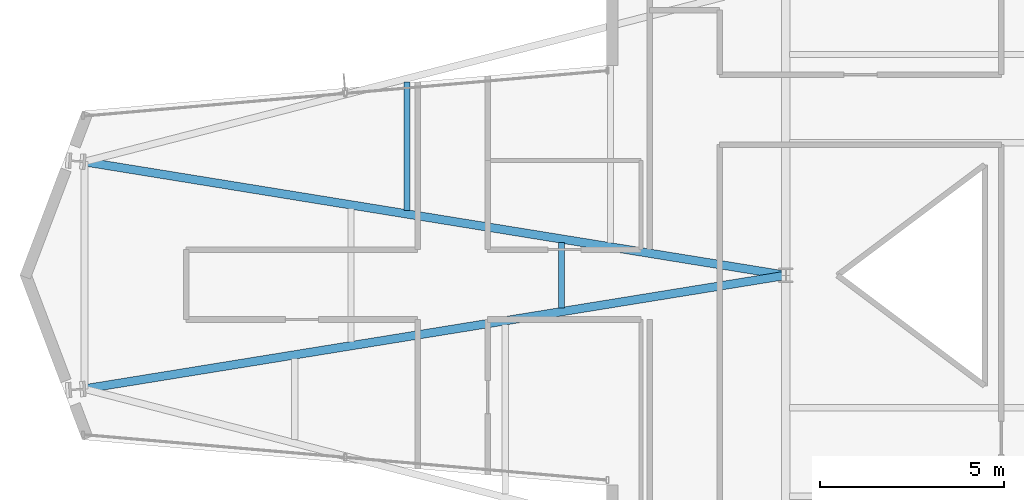
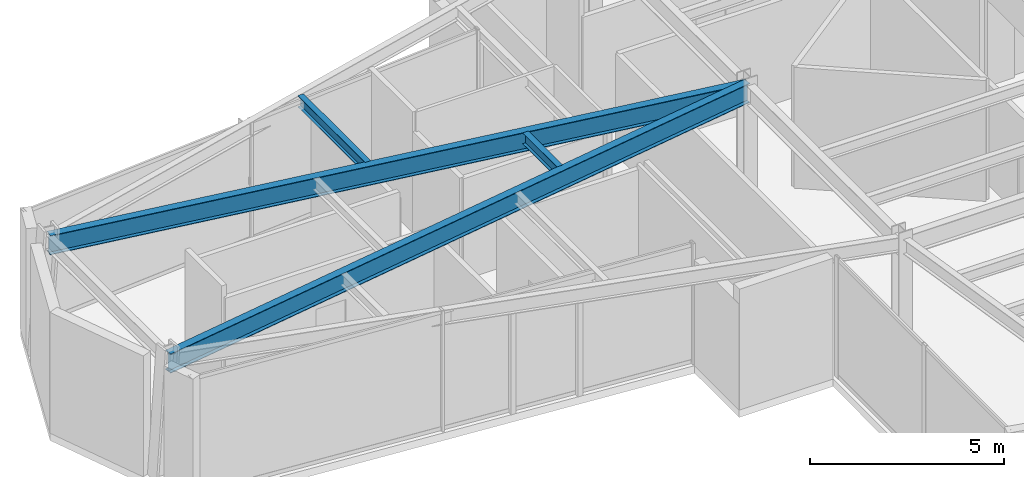
# One storey, part 8 of 23: 4 beams.
"""IFC4 building model written with IfcOpenShell, lengths in metres."""

from ifc_helpers import new_model, si_unit, direction, frame, origin, origin_2d, place, context, subcontext, project, spatial, i_section, extrude, material, material_profile, profile_set, type_object, element, save


model = new_model("IFC4")

# Units and contexts
model_context = context("Model", 3, precision=1e-05, world=origin(), true_north=direction((0.0, 1.0)))
body_context = subcontext(model_context, "Body", "Model", "MODEL_VIEW")
ifc_project = project(units=[si_unit("LENGTHUNIT", "METRE"), si_unit("AREAUNIT", "SQUARE_METRE"), si_unit("VOLUMEUNIT", "CUBIC_METRE"), si_unit("PLANEANGLEUNIT", "RADIAN"), si_unit("MASSUNIT", "GRAM", prefix="KILO")], contexts=[model_context])

# Site, building, storey
site_placement = place(None, origin())
site = spatial("IfcSite", under=ifc_project, at=site_placement, CompositionType="ELEMENT")
building_placement = place(site_placement, origin())
building = spatial("IfcBuilding", under=site, at=building_placement, Name="Veymaron Broadcast Tower", CompositionType="ELEMENT")
storey_placement = place(building_placement, frame((0.0, 0.0, 165.449951171875)))
storey = spatial("IfcBuildingStorey", under=building, at=storey_placement, Name="L38", CompositionType="ELEMENT", Elevation=165.449951171875)

# Beams
ifc_material = material(Name="Structural steel ASTM A992 Gr 50", Category="steel")
ifc_material_profile_1 = material_profile(ifc_material, i_section(OverallWidth=0.22802734375, OverallDepth=0.60791015625, WebThickness=0.01123046875, FlangeThickness=0.017333984375, at=origin_2d()), Name="W610X113")
ifc_profile_set_1 = profile_set([ifc_material_profile_1], Name="Structural steel ASTM A992 Gr 50")
beam_type_1 = type_object("IfcBeamType", Name="BM-FG2", PredefinedType="BEAM", material=ifc_profile_set_1)
for number, where, z_axis, x_axis, name in (
    (1, (12.14697265625, 20.9150390625, 3.506103515625), (0.987144017424, 0.159833315875, 0.0), (-0.159833315875, 0.987144017424, 0.0), "L38 primary structural floor girder"),
    (2, (12.14697265625, 27.0849609375, 3.506103515625), (0.987144017424, -0.159833315875, 0.0), (0.159833315875, 0.987144017424, 0.0), "L38 primary structural floor girder"),
):
    element("IfcBeam", number, at=place(storey_placement, frame(where, z_axis=z_axis, x_axis=x_axis)), inside=storey, type_object=beam_type_1, Name=name, PredefinedType="BEAM", context=body_context, shape_type="SweptSolid", body=[
        extrude(i_section(OverallWidth=0.22802734375, OverallDepth=0.60791015625, WebThickness=0.01123046875, FlangeThickness=0.017333984375, at=origin_2d()), origin(), (0.0, 0.0, 1.0), 19.301025390625),
    ])
ifc_material_profile_2 = material_profile(ifc_material, i_section(OverallWidth=0.1708984375, OverallDepth=0.35498046875, WebThickness=0.007080078125, FlangeThickness=0.01171875, at=origin_2d()), Name="W360X51")
ifc_profile_set_2 = profile_set([ifc_material_profile_2], Name="Structural steel ASTM A992 Gr 50")
beam_type_2 = type_object("IfcBeamType", Name="BM-JS2", PredefinedType="JOIST", material=ifc_profile_set_2)
beam_1_placement = place(storey_placement, frame((20.911376953125, 25.765869140625, 3.632568359375), z_axis=(0.0, 1.0, 0.0), x_axis=(-1.0, 0.0, 0.0)))
element("IfcBeam", 3, at=beam_1_placement, inside=storey, type_object=beam_type_2, Name="L38 Arm-A secondary joist 1N", PredefinedType="JOIST", context=body_context, shape_type="SweptSolid", body=[
    extrude(i_section(OverallWidth=0.1708984375, OverallDepth=0.35498046875, WebThickness=0.007080078125, FlangeThickness=0.01171875, at=origin_2d()), origin(), (0.0, 0.0, 1.0), 3.47998046875),
])
beam_2_placement = place(storey_placement, frame((25.10302734375, 23.11279296875, 3.632568359375), z_axis=(0.0, 1.0, 0.0), x_axis=(-1.0, 0.0, 0.0)))
element("IfcBeam", 4, at=beam_2_placement, inside=storey, type_object=beam_type_2, Name="L38 Arm-A secondary joist 2M", PredefinedType="JOIST", context=body_context, shape_type="SweptSolid", body=[
    extrude(i_section(OverallWidth=0.1708984375, OverallDepth=0.35498046875, WebThickness=0.007080078125, FlangeThickness=0.01171875, at=origin_2d()), origin(), (0.0, 0.0, 1.0), 1.7744140625),
])

save(model, "model.ifc")
